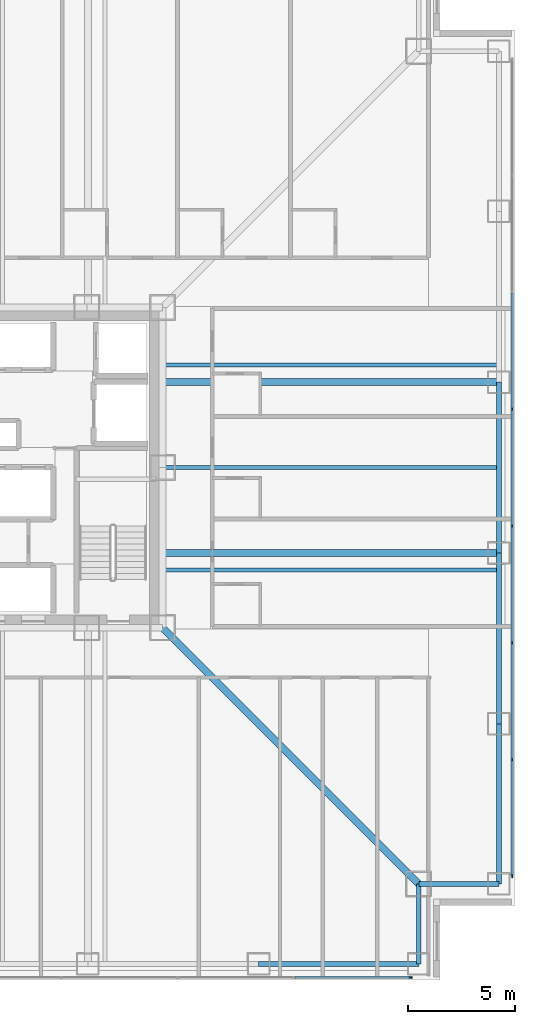
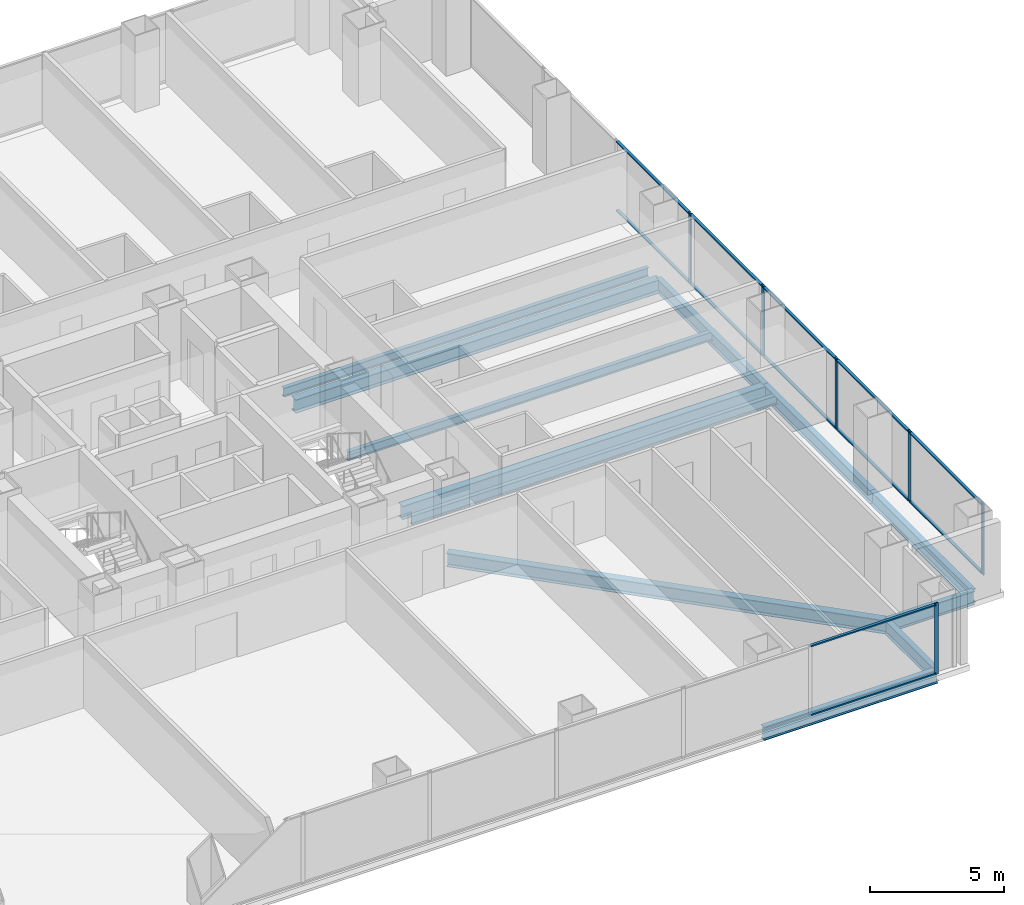
# One storey, part 6 of 16: 18 members, 12 beams, 2 elements without a shape of their own.
"""IFC4 building model written with IfcOpenShell, lengths in metres."""

import ifcopenshell
import ifcopenshell.guid

model = None  # the IFC model being written
_history = None  # IfcOwnerHistory: only IFC2X3 demands one
_inside = {}  # id of a spatial element -> (the spatial element, [elements in it])
_under = {}  # id of a project, library or spatial element -> (it, [spatial elements below it])
_declared = {}  # id of a project -> (the project, [libraries it declares])
_typed = {}  # id of a type object -> (the type object, [elements of that type])
_made_of = {}  # id of a material, layer set ... -> (it, [elements and type objects made of it])


def new_model(schema):
    """Start an empty IFC model of exactly this schema.

    Asked for "IFC4X3", IfcOpenShell would pick the latest addendum, in which some entities
    have other attributes; the version numbers below select the first issue.
    IFC2X3 requires an IfcOwnerHistory on every rooted entity: one is made here for all.
    """
    global model, _history
    if schema == "IFC4X3":
        model = ifcopenshell.file(schema_version=(4, 3, 0, 0))
    else:
        model = ifcopenshell.file(schema=schema)
    _inside.clear()
    _under.clear()
    _declared.clear()
    _typed.clear()
    _made_of.clear()
    _history = None
    if model.schema == "IFC2X3":
        org = make("IfcOrganization", Name="unknown")
        user = make(
            "IfcPersonAndOrganization",
            ThePerson=make("IfcPerson", FamilyName="unknown"),
            TheOrganization=org,
        )
        app = make(
            "IfcApplication",
            ApplicationDeveloper=org,
            Version="unknown",
            ApplicationFullName="unknown",
            ApplicationIdentifier="unknown",
        )
        _history = make(
            "IfcOwnerHistory",
            OwningUser=user,
            OwningApplication=app,
            ChangeAction="ADDED",
            CreationDate=0,
        )
    return model


def make(cls, **values):
    """One entity of the class cls with the attributes given. An attribute that is None is left unset."""
    return model.create_entity(
        cls, **{name: value for name, value in values.items() if value is not None}
    )


def rooted(cls, **values):
    """An entity with a GlobalId (a new one), such as an element, a storey or a relation."""
    return make(cls, GlobalId=ifcopenshell.guid.new(), OwnerHistory=_history, **values)


def si_unit(unit_type, name, prefix=None):
    """IfcSIUnit, for example si_unit("LENGTHUNIT", "METRE", prefix="MILLI")."""
    return make("IfcSIUnit", UnitType=unit_type, Prefix=prefix, Name=name)


def assignment(units):
    """IfcUnitAssignment: the units of a project."""
    return None if units is None else make("IfcUnitAssignment", Units=units)


def point(xyz):
    """IfcCartesianPoint."""
    return None if xyz is None else make("IfcCartesianPoint", Coordinates=xyz)


def direction(xyz):
    """IfcDirection."""
    return None if xyz is None else make("IfcDirection", DirectionRatios=xyz)


def frame(location, z_axis=None, x_axis=None):
    """IfcAxis2Placement3D, a coordinate frame: its origin and axes. An axis left out is left unset."""
    return make(
        "IfcAxis2Placement3D",
        Location=point(location),
        Axis=direction(z_axis),
        RefDirection=direction(x_axis),
    )


def frame_2d(location, x_axis=None):
    """IfcAxis2Placement2D, a coordinate frame in the plane: its origin and x axis."""
    return make(
        "IfcAxis2Placement2D", Location=point(location), RefDirection=direction(x_axis)
    )


def origin():
    """The frame at (0, 0, 0) with its axes left unset."""
    return frame((0.0, 0.0, 0.0))


def origin_2d():
    """The frame at (0, 0) in the plane with its x axis left unset."""
    return frame_2d((0.0, 0.0))


def place(relative_to, where):
    """IfcLocalPlacement: puts the frame where relative to a parent placement (None: the world)."""
    return make(
        "IfcLocalPlacement", PlacementRelTo=relative_to, RelativePlacement=where
    )


def context(
    kind, dimensions, precision=None, world=None, true_north=None, identifier=None
):
    """IfcGeometricRepresentationContext, for example the 3D "Model" context."""
    return make(
        "IfcGeometricRepresentationContext",
        ContextIdentifier=identifier,
        ContextType=kind,
        CoordinateSpaceDimension=dimensions,
        Precision=precision,
        WorldCoordinateSystem=world,
        TrueNorth=true_north,
    )


def subcontext(parent, identifier, kind, view, scale=None):
    """IfcGeometricRepresentationSubContext, for example "Body" below "Model"."""
    return make(
        "IfcGeometricRepresentationSubContext",
        ContextIdentifier=identifier,
        ContextType=kind,
        ParentContext=parent,
        TargetScale=scale,
        TargetView=view,
    )


def project(units=None, contexts=None):
    """IfcProject with its units and contexts."""
    return rooted(
        "IfcProject",
        Name="project",
        RepresentationContexts=contexts,
        UnitsInContext=assignment(units),
    )


def spatial(cls, under=None, at=None, **own):
    """A site, building, storey or space (cls), placed at a placement, below another one or the project."""
    s = rooted(cls, ObjectPlacement=at, **own)
    if under is not None:
        _under.setdefault(under.id(), (under, []))[1].append(s)
    return s


def profile(cls, at=None, kind="AREA", **sizes):
    """A parametric profile (cls). Its sizes go by their IFC names, for example OverallWidth=200.0."""
    return make(cls, ProfileType=kind, Position=at, **sizes)


def rectangle(**sizes):
    """IfcRectangleProfileDef."""
    return profile("IfcRectangleProfileDef", **sizes)


def i_section(**sizes):
    """IfcIShapeProfileDef."""
    return profile("IfcIShapeProfileDef", **sizes)


def extrude(swept, where, along, depth):
    """IfcExtrudedAreaSolid: the profile swept, set in the frame where, extruded along a direction by depth."""
    return make(
        "IfcExtrudedAreaSolid",
        SweptArea=swept,
        Position=where,
        ExtrudedDirection=direction(along),
        Depth=depth,
    )


def shape(context_of_items, identifier, shape_type, items):
    """IfcShapeRepresentation: the items that make up one representation, for example the "Body"."""
    return make(
        "IfcShapeRepresentation",
        ContextOfItems=context_of_items,
        RepresentationIdentifier=identifier,
        RepresentationType=shape_type,
        Items=items,
    )


def material(Name=None, Category=None):
    """IfcMaterial."""
    return make("IfcMaterial", Name=Name, Category=Category)


def layer(
    of_material, thickness, ventilated=None, Name=None, Category=None, Priority=None
):
    """IfcMaterialLayer: one layer of a wall or slab, of a material (None: an air gap)."""
    return make(
        "IfcMaterialLayer",
        Material=of_material,
        LayerThickness=thickness,
        IsVentilated=ventilated,
        Name=Name,
        Category=Category,
        Priority=Priority,
    )


def layer_set(layers, Name=None):
    """IfcMaterialLayerSet."""
    return make("IfcMaterialLayerSet", MaterialLayers=layers, LayerSetName=Name)


def material_profile(
    of_material, cross_section, Name=None, Category=None, Priority=None
):
    """IfcMaterialProfile: a cross section and its material."""
    return make(
        "IfcMaterialProfile",
        Name=Name,
        Material=of_material,
        Profile=cross_section,
        Priority=Priority,
        Category=Category,
    )


def profile_set(profiles, Name=None, composite=None):
    """IfcMaterialProfileSet."""
    return make(
        "IfcMaterialProfileSet",
        Name=Name,
        MaterialProfiles=profiles,
        CompositeProfile=composite,
    )


def made_of(thing, what):
    """Note that an element or type object is made of a material, layer set ...; save() writes the relation."""
    if what is not None:
        _made_of.setdefault(what.id(), (what, []))[1].append(thing)
    return thing


def type_object(cls, material=None, **own):
    """A type object (cls), such as IfcWallType, which elements share."""
    return made_of(rooted(cls, **own), material)


def element(
    cls,
    number,
    at=None,
    inside=None,
    cuts=None,
    type_object=None,
    material=None,
    context=None,
    identifier="Body",
    shape_type=None,
    held_by="IfcProductDefinitionShape",
    body=None,
    shapes=None,
    **own,
):
    """One element of the class cls, such as IfcWall. Its Tag is "e" and its number.

    at: its placement. inside: the storey or other place that contains it. cuts: it is an
    opening in that element (IfcRelVoidsElement). A single representation is given by context,
    identifier, shape_type and body (its items); several are given by shapes. held_by: the class
    of the entity that holds the representations. save() writes the other relations.
    """
    e = rooted(cls, Tag="e%d" % number, ObjectPlacement=at, **own)
    if body is not None:
        shapes = [shape(context, identifier, shape_type, body)]
    if shapes is not None:
        e.Representation = make(held_by, Representations=shapes)
    if inside is not None:
        _inside.setdefault(inside.id(), (inside, []))[1].append(e)
    if cuts is not None:
        rooted(
            "IfcRelVoidsElement", RelatingBuildingElement=cuts, RelatedOpeningElement=e
        )
    if type_object is not None:
        _typed.setdefault(type_object.id(), (type_object, []))[1].append(e)
    return made_of(e, material)


def aggregate(whole, parts):
    """IfcRelAggregates: a whole, such as a stair, and the parts it consists of."""
    return rooted("IfcRelAggregates", RelatingObject=whole, RelatedObjects=parts)


def save(model, path):
    """Write the relations noted so far, then the file.

    IfcRelAggregates (storeys below a building ...), IfcRelContainedInSpatialStructure (elements
    in a storey), IfcRelDefinesByType, IfcRelAssociatesMaterial and IfcRelDeclares: one each for
    every whole, place, type object, material and project.
    """
    for whole, parts in _under.values():
        aggregate(whole, parts)
    for where, things in _inside.values():
        rooted(
            "IfcRelContainedInSpatialStructure",
            RelatedElements=things,
            RelatingStructure=where,
        )
    for kind, things in _typed.values():
        rooted("IfcRelDefinesByType", RelatedObjects=things, RelatingType=kind)
    for what, things in _made_of.values():
        rooted("IfcRelAssociatesMaterial", RelatedObjects=things, RelatingMaterial=what)
    for by, libraries in _declared.values():
        rooted("IfcRelDeclares", RelatingContext=by, RelatedDefinitions=libraries)
    model.write(path)


model = new_model("IFC4")

# Units and contexts
model_context = context("Model", 3, precision=1e-05, world=origin(), true_north=direction((0.0, 1.0)))
body_context = subcontext(model_context, "Body", "Model", "MODEL_VIEW")
ifc_project = project(units=[si_unit("LENGTHUNIT", "METRE"), si_unit("AREAUNIT", "SQUARE_METRE"), si_unit("VOLUMEUNIT", "CUBIC_METRE"), si_unit("PLANEANGLEUNIT", "RADIAN"), si_unit("MASSUNIT", "GRAM", prefix="KILO")], contexts=[model_context])

# Site, building, storey
site_placement = place(None, origin())
site = spatial("IfcSite", under=ifc_project, at=site_placement, CompositionType="ELEMENT")
building_placement = place(site_placement, origin())
building = spatial("IfcBuilding", under=site, at=building_placement, Name="Trevonay Congress Spire", CompositionType="ELEMENT")
storey_placement = place(building_placement, frame((0.0, 0.0, 72.5)))
storey = spatial("IfcBuildingStorey", under=building, at=storey_placement, Name="L18", CompositionType="ELEMENT", Elevation=72.5)

# Beams
ifc_material_1 = material(Name="Steel ASTM A572 Grade 50", Category="steel")
ifc_material_profile_1 = material_profile(ifc_material_1, i_section(OverallWidth=0.324951171875, OverallDepth=0.615966796875, WebThickness=0.013916015625, FlangeThickness=0.021484375, FilletRadius=0.01806640625, at=origin_2d()), Name="W610x174")
ifc_profile_set_1 = profile_set([ifc_material_profile_1], Name="Steel ASTM A572 Grade 50")
beam_type_1 = type_object("IfcBeamType", Name="BM-GIRD-W610X174", PredefinedType="BEAM", material=ifc_profile_set_1)
beam_1_placement = place(storey_placement, frame((7.5, -7.5, -0.55810546875), z_axis=(0.707106781187, -0.707106781187, 0.0), x_axis=(0.707106781187, 0.707106781187, 0.0)))
element("IfcBeam", 1, at=beam_1_placement, inside=storey, type_object=beam_type_1, Name="L18 structural beam BM-L18-CDSE", PredefinedType="BEAM", context=body_context, shape_type="SweptSolid", body=[
    extrude(i_section(OverallWidth=0.324951171875, OverallDepth=0.615966796875, WebThickness=0.013916015625, FlangeThickness=0.021484375, FilletRadius=0.01806640625, at=origin_2d()), origin(), (0.0, 0.0, 1.0), 16.970458984375),
])
for number, where, z_axis, x_axis, name in (
    (2, (7.5, -4.0, -0.55810546875), (1.0, 0.0, 0.0), (0.0, 1.0, 0.0), "L18 structural beam BM-L18-GE-M"),
    (3, (7.5, 4.0, -0.55810546875), (1.0, 0.0, 0.0), (0.0, 1.0, 0.0), "L18 structural beam BM-L18-GE-P"),
):
    element("IfcBeam", number, at=place(storey_placement, frame(where, z_axis=z_axis, x_axis=x_axis)), inside=storey, type_object=beam_type_1, Name=name, PredefinedType="BEAM", context=body_context, shape_type="SweptSolid", body=[
        extrude(i_section(OverallWidth=0.324951171875, OverallDepth=0.615966796875, WebThickness=0.013916015625, FlangeThickness=0.021484375, FilletRadius=0.01806640625, at=origin_2d()), origin(), (0.0, 0.0, 1.0), 15.75),
    ])
ifc_material_profile_2 = material_profile(ifc_material_1, i_section(OverallWidth=0.22998046875, OverallDepth=0.616943359375, WebThickness=0.01318359375, FlangeThickness=0.022216796875, FilletRadius=0.01611328125, at=origin_2d()), Name="W610x140")
ifc_profile_set_2 = profile_set([ifc_material_profile_2], Name="Steel ASTM A572 Grade 50")
beam_type_2 = type_object("IfcBeamType", Name="BM-RING-W610X140", PredefinedType="BEAM", material=ifc_profile_set_2)
beam_2_placement = place(storey_placement, frame((23.25, -19.5, -0.55859375), z_axis=(0.0, 1.0, 0.0), x_axis=(-1.0, 0.0, 0.0)))
element("IfcBeam", 4, at=beam_2_placement, inside=storey, type_object=beam_type_2, Name="L18 structural beam BM-L18-PE1", PredefinedType="BEAM", context=body_context, shape_type="SweptSolid", body=[
    extrude(i_section(OverallWidth=0.22998046875, OverallDepth=0.616943359375, WebThickness=0.01318359375, FlangeThickness=0.022216796875, FilletRadius=0.01611328125, at=origin_2d()), origin(), (0.0, 0.0, 1.0), 7.5),
])
for number, where, z_axis, x_axis, name in (
    (5, (23.25, -12.0, -0.55859375), (0.0, 1.0, 0.0), (-1.0, 0.0, 0.0), "L18 structural beam BM-L18-PE2"),
    (6, (23.25, -4.0, -0.55859375), (0.0, 1.0, 0.0), (-1.0, 0.0, 0.0), "L18 structural beam BM-L18-PE3"),
):
    element("IfcBeam", number, at=place(storey_placement, frame(where, z_axis=z_axis, x_axis=x_axis)), inside=storey, type_object=beam_type_2, Name=name, PredefinedType="BEAM", context=body_context, shape_type="SweptSolid", body=[
        extrude(i_section(OverallWidth=0.22998046875, OverallDepth=0.616943359375, WebThickness=0.01318359375, FlangeThickness=0.022216796875, FilletRadius=0.01611328125, at=origin_2d()), origin(), (0.0, 0.0, 1.0), 8.0),
    ])
beam_3_placement = place(storey_placement, frame((12.0, -23.25, -0.55859375), z_axis=(1.0, 0.0, 0.0), x_axis=(0.0, 1.0, 0.0)))
element("IfcBeam", 7, at=beam_3_placement, inside=storey, type_object=beam_type_2, Name="L18 structural beam BM-L18-PS5", PredefinedType="BEAM", context=body_context, shape_type="SweptSolid", body=[
    extrude(i_section(OverallWidth=0.22998046875, OverallDepth=0.616943359375, WebThickness=0.01318359375, FlangeThickness=0.022216796875, FilletRadius=0.01611328125, at=origin_2d()), origin(), (0.0, 0.0, 1.0), 7.5),
])
for number, where, z_axis, x_axis, name in (
    (8, (19.5, -23.25, -0.55859375), (0.0, 1.0, 0.0), (-1.0, 0.0, 0.0), "L18 structural beam BM-L18-N1SE"),
    (9, (23.25, -19.5, -0.55859375), (-1.0, 0.0, 0.0), (0.0, -1.0, 0.0), "L18 structural beam BM-L18-N2SE"),
):
    element("IfcBeam", number, at=place(storey_placement, frame(where, z_axis=z_axis, x_axis=x_axis)), inside=storey, type_object=beam_type_2, Name=name, PredefinedType="BEAM", context=body_context, shape_type="SweptSolid", body=[
        extrude(i_section(OverallWidth=0.22998046875, OverallDepth=0.616943359375, WebThickness=0.01318359375, FlangeThickness=0.022216796875, FilletRadius=0.01611328125, at=origin_2d()), origin(), (0.0, 0.0, 1.0), 3.75),
    ])

# Curtain wall, member
ifc_material_2 = material(Name="Pale Anodised Aluminium EN AW-6063-T6", Category="aluminium")
ifc_layer = layer(ifc_material_2, 0.179931640625, Name="Pale Anodised Aluminium EN AW-6063-T6")
ifc_layer_set = layer_set([ifc_layer], Name="Pale Anodised Aluminium EN AW-6063-T6")
curtain_wall_type = type_object("IfcCurtainWallType", Name="CW-SYS02-HOTEL-PALE-METAL", PredefinedType="NOTDEFINED", material=ifc_layer_set)
curtain_wall_1_placement = place(storey_placement, origin())
curtain_wall_1 = element("IfcCurtainWall", 10, at=curtain_wall_1_placement, inside=storey, type_object=curtain_wall_type, Name="L18 S unitised curtain wall", PredefinedType="NOTDEFINED")
ifc_material_profile_3 = material_profile(ifc_material_2, rectangle(XDim=0.06005859375, YDim=0.159912109375, at=origin_2d()), Name="CW-MULLION-160-ALUMINIUM")
ifc_profile_set_3 = profile_set([ifc_material_profile_3], Name="Pale Anodised Aluminium EN AW-6063-T6")
member_type_1 = type_object("IfcMemberType", Name="CW-MULLION-160-ALUMINIUM", PredefinedType="MULLION", material=ifc_profile_set_3)
member_1_placement = place(storey_placement, frame((19.1201171875, -23.8798828125, 0.0), z_axis=(0.0, 0.0, 1.0), x_axis=(0.0, 1.0, 0.0)))
member_1 = element("IfcMember", 11, at=member_1_placement, type_object=member_type_1, Name="CW02 mullion 8", PredefinedType="MULLION", context=body_context, shape_type="SweptSolid", body=[
    extrude(rectangle(XDim=0.06005859375, YDim=0.159912109375, at=origin_2d()), origin(), (0.0, 0.0, 1.0), 3.25),
])

# Curtain wall, members
curtain_wall_2_placement = place(storey_placement, origin())
curtain_wall_2 = element("IfcCurtainWall", 12, at=curtain_wall_2_placement, inside=storey, type_object=curtain_wall_type, Name="L18 E unitised curtain wall", PredefinedType="NOTDEFINED")
member_2_placement = place(storey_placement, frame((23.8798828125, -19.1201171875, 0.0), z_axis=(0.0, 0.0, 1.0), x_axis=(-1.0, 0.0, 0.0)))
member_2 = element("IfcMember", 13, at=member_2_placement, type_object=member_type_1, Name="CW02 mullion 1", PredefinedType="MULLION", context=body_context, shape_type="SweptSolid", body=[
    extrude(rectangle(XDim=0.06005859375, YDim=0.159912109375, at=origin_2d()), origin(), (0.0, 0.0, 1.0), 3.25),
])
member_3_placement = place(storey_placement, frame((23.8798828125, -13.678466796875, 0.0), z_axis=(0.0, 0.0, 1.0), x_axis=(-1.0, 0.0, 0.0)))
member_3 = element("IfcMember", 14, at=member_3_placement, type_object=member_type_1, Name="CW02 mullion 2", PredefinedType="MULLION", context=body_context, shape_type="SweptSolid", body=[
    extrude(rectangle(XDim=0.06005859375, YDim=0.159912109375, at=origin_2d()), origin(), (0.0, 0.0, 1.0), 3.25),
])
member_4_placement = place(storey_placement, frame((23.8798828125, -8.20703125, 0.0), z_axis=(0.0, 0.0, 1.0), x_axis=(-1.0, 0.0, 0.0)))
member_4 = element("IfcMember", 15, at=member_4_placement, type_object=member_type_1, Name="CW02 mullion 3", PredefinedType="MULLION", context=body_context, shape_type="SweptSolid", body=[
    extrude(rectangle(XDim=0.06005859375, YDim=0.159912109375, at=origin_2d()), origin(), (0.0, 0.0, 1.0), 3.25),
])
member_5_placement = place(storey_placement, frame((23.8798828125, -2.735595703125, 0.0), z_axis=(0.0, 0.0, 1.0), x_axis=(-1.0, 0.0, 0.0)))
member_5 = element("IfcMember", 16, at=member_5_placement, type_object=member_type_1, Name="CW02 mullion 4", PredefinedType="MULLION", context=body_context, shape_type="SweptSolid", body=[
    extrude(rectangle(XDim=0.06005859375, YDim=0.159912109375, at=origin_2d()), origin(), (0.0, 0.0, 1.0), 3.25),
])
member_6_placement = place(storey_placement, frame((23.8798828125, 2.735595703125, 0.0), z_axis=(0.0, 0.0, 1.0), x_axis=(-1.0, 0.0, 0.0)))
member_6 = element("IfcMember", 17, at=member_6_placement, type_object=member_type_1, Name="CW02 mullion 5", PredefinedType="MULLION", context=body_context, shape_type="SweptSolid", body=[
    extrude(rectangle(XDim=0.06005859375, YDim=0.159912109375, at=origin_2d()), origin(), (0.0, 0.0, 1.0), 3.25),
])

# Member
ifc_material_profile_4 = material_profile(ifc_material_2, rectangle(XDim=0.1201171875, YDim=0.06005859375, at=origin_2d()), Name="CW-TRANSOM-120-ALUMINIUM")
ifc_profile_set_4 = profile_set([ifc_material_profile_4], Name="Pale Anodised Aluminium EN AW-6063-T6")
member_type_2 = type_object("IfcMemberType", Name="CW-TRANSOM-120-ALUMINIUM", PredefinedType="USERDEFINED", material=ifc_profile_set_4)
member_7_placement = place(storey_placement, frame((13.70849609375, -23.8798828125, 0.06005859375), z_axis=(1.0, 0.0, 0.0), x_axis=(0.0, 1.0, 0.0)))
member_7 = element("IfcMember", 18, at=member_7_placement, type_object=member_type_2, Name="CW02 transom 7.1", ObjectType="TRANSOM", PredefinedType="USERDEFINED", context=body_context, shape_type="SweptSolid", body=[
    extrude(rectangle(XDim=0.1201171875, YDim=0.06005859375, at=origin_2d()), origin(), (0.0, 0.0, 1.0), 5.381591796875),
])

member_8_placement = place(storey_placement, frame((13.70849609375, -23.8798828125, 3.18994140625), z_axis=(1.0, 0.0, 0.0), x_axis=(0.0, 1.0, 0.0)))
member_8 = element("IfcMember", 19, at=member_8_placement, type_object=member_type_2, Name="CW02 transom 7.2", ObjectType="TRANSOM", PredefinedType="USERDEFINED", context=body_context, shape_type="SweptSolid", body=[
    extrude(rectangle(XDim=0.1201171875, YDim=0.06005859375, at=origin_2d()), origin(), (0.0, 0.0, 1.0), 5.381591796875),
])

aggregate(curtain_wall_1, [member_1, member_7, member_8])

member_9_placement = place(storey_placement, frame((23.8798828125, -19.090087890625, 0.06005859375), z_axis=(0.0, 1.0, 0.0), x_axis=(-1.0, 0.0, 0.0)))
member_9 = element("IfcMember", 20, at=member_9_placement, type_object=member_type_2, Name="CW02 transom 1.1", ObjectType="TRANSOM", PredefinedType="USERDEFINED", context=body_context, shape_type="SweptSolid", body=[
    extrude(rectangle(XDim=0.1201171875, YDim=0.06005859375, at=origin_2d()), origin(), (0.0, 0.0, 1.0), 5.381591796875),
])

member_10_placement = place(storey_placement, frame((23.8798828125, -19.090087890625, 3.18994140625), z_axis=(0.0, 1.0, 0.0), x_axis=(-1.0, 0.0, 0.0)))
member_10 = element("IfcMember", 21, at=member_10_placement, type_object=member_type_2, Name="CW02 transom 1.2", ObjectType="TRANSOM", PredefinedType="USERDEFINED", context=body_context, shape_type="SweptSolid", body=[
    extrude(rectangle(XDim=0.1201171875, YDim=0.06005859375, at=origin_2d()), origin(), (0.0, 0.0, 1.0), 5.381591796875),
])

member_11_placement = place(storey_placement, frame((23.8798828125, -13.648681640625, 0.06005859375), z_axis=(0.0, 1.0, 0.0), x_axis=(-1.0, 0.0, 0.0)))
member_11 = element("IfcMember", 22, at=member_11_placement, type_object=member_type_2, Name="CW02 transom 2.1", ObjectType="TRANSOM", PredefinedType="USERDEFINED", context=body_context, shape_type="SweptSolid", body=[
    extrude(rectangle(XDim=0.1201171875, YDim=0.06005859375, at=origin_2d()), origin(), (0.0, 0.0, 1.0), 5.41162109375),
])

member_12_placement = place(storey_placement, frame((23.8798828125, -13.648681640625, 3.18994140625), z_axis=(0.0, 1.0, 0.0), x_axis=(-1.0, 0.0, 0.0)))
member_12 = element("IfcMember", 23, at=member_12_placement, type_object=member_type_2, Name="CW02 transom 2.2", ObjectType="TRANSOM", PredefinedType="USERDEFINED", context=body_context, shape_type="SweptSolid", body=[
    extrude(rectangle(XDim=0.1201171875, YDim=0.06005859375, at=origin_2d()), origin(), (0.0, 0.0, 1.0), 5.41162109375),
])

member_13_placement = place(storey_placement, frame((23.8798828125, -8.17724609375, 0.06005859375), z_axis=(0.0, 1.0, 0.0), x_axis=(-1.0, 0.0, 0.0)))
member_13 = element("IfcMember", 24, at=member_13_placement, type_object=member_type_2, Name="CW02 transom 3.1", ObjectType="TRANSOM", PredefinedType="USERDEFINED", context=body_context, shape_type="SweptSolid", body=[
    extrude(rectangle(XDim=0.1201171875, YDim=0.06005859375, at=origin_2d()), origin(), (0.0, 0.0, 1.0), 5.41162109375),
])

member_14_placement = place(storey_placement, frame((23.8798828125, -8.17724609375, 3.18994140625), z_axis=(0.0, 1.0, 0.0), x_axis=(-1.0, 0.0, 0.0)))
member_14 = element("IfcMember", 25, at=member_14_placement, type_object=member_type_2, Name="CW02 transom 3.2", ObjectType="TRANSOM", PredefinedType="USERDEFINED", context=body_context, shape_type="SweptSolid", body=[
    extrude(rectangle(XDim=0.1201171875, YDim=0.06005859375, at=origin_2d()), origin(), (0.0, 0.0, 1.0), 5.41162109375),
])

member_15_placement = place(storey_placement, frame((23.8798828125, -2.705810546875, 0.06005859375), z_axis=(0.0, 1.0, 0.0), x_axis=(-1.0, 0.0, 0.0)))
member_15 = element("IfcMember", 26, at=member_15_placement, type_object=member_type_2, Name="CW02 transom 4.1", ObjectType="TRANSOM", PredefinedType="USERDEFINED", context=body_context, shape_type="SweptSolid", body=[
    extrude(rectangle(XDim=0.1201171875, YDim=0.06005859375, at=origin_2d()), origin(), (0.0, 0.0, 1.0), 5.41162109375),
])

member_16_placement = place(storey_placement, frame((23.8798828125, -2.705810546875, 3.18994140625), z_axis=(0.0, 1.0, 0.0), x_axis=(-1.0, 0.0, 0.0)))
member_16 = element("IfcMember", 27, at=member_16_placement, type_object=member_type_2, Name="CW02 transom 4.2", ObjectType="TRANSOM", PredefinedType="USERDEFINED", context=body_context, shape_type="SweptSolid", body=[
    extrude(rectangle(XDim=0.1201171875, YDim=0.06005859375, at=origin_2d()), origin(), (0.0, 0.0, 1.0), 5.41162109375),
])

member_17_placement = place(storey_placement, frame((23.8798828125, 2.765625, 0.06005859375), z_axis=(0.0, 1.0, 0.0), x_axis=(-1.0, 0.0, 0.0)))
member_17 = element("IfcMember", 28, at=member_17_placement, type_object=member_type_2, Name="CW02 transom 5.1", ObjectType="TRANSOM", PredefinedType="USERDEFINED", context=body_context, shape_type="SweptSolid", body=[
    extrude(rectangle(XDim=0.1201171875, YDim=0.06005859375, at=origin_2d()), origin(), (0.0, 0.0, 1.0), 5.41162109375),
])

member_18_placement = place(storey_placement, frame((23.8798828125, 2.765625, 3.18994140625), z_axis=(0.0, 1.0, 0.0), x_axis=(-1.0, 0.0, 0.0)))
member_18 = element("IfcMember", 29, at=member_18_placement, type_object=member_type_2, Name="CW02 transom 5.2", ObjectType="TRANSOM", PredefinedType="USERDEFINED", context=body_context, shape_type="SweptSolid", body=[
    extrude(rectangle(XDim=0.1201171875, YDim=0.06005859375, at=origin_2d()), origin(), (0.0, 0.0, 1.0), 5.41162109375),
])

aggregate(curtain_wall_2, [member_2, member_3, member_4, member_5, member_6, member_9, member_10, member_11, member_12, member_13, member_14, member_15, member_16, member_17, member_18])

# Beams
ifc_material_profile_5 = material_profile(ifc_material_1, i_section(OverallWidth=0.177978515625, OverallDepth=0.406982421875, WebThickness=0.0078125, FlangeThickness=0.0126953125, FilletRadius=0.012939453125, at=origin_2d()), Name="W410x60")
ifc_profile_set_5 = profile_set([ifc_material_profile_5], Name="Steel ASTM A572 Grade 50")
beam_type_3 = type_object("IfcBeamType", Name="JS-COMP-W410X60", PredefinedType="JOIST", material=ifc_profile_set_5)
for number, where, z_axis, x_axis, name in (
    (30, (7.5, -4.800048828125, -0.45361328125), (1.0, 0.0, 0.0), (0.0, 1.0, 0.0), "L18 structural beam JS-L18-EW-E1"),
    (31, (7.5, 0.0, -0.45361328125), (1.0, 0.0, 0.0), (0.0, 1.0, 0.0), "L18 structural beam JS-L18-EW-E2"),
    (32, (7.5, 4.800048828125, -0.45361328125), (1.0, 0.0, 0.0), (0.0, 1.0, 0.0), "L18 structural beam JS-L18-EW-E3"),
):
    element("IfcBeam", number, at=place(storey_placement, frame(where, z_axis=z_axis, x_axis=x_axis)), inside=storey, type_object=beam_type_3, Name=name, PredefinedType="JOIST", context=body_context, shape_type="SweptSolid", body=[
        extrude(i_section(OverallWidth=0.177978515625, OverallDepth=0.406982421875, WebThickness=0.0078125, FlangeThickness=0.0126953125, FilletRadius=0.012939453125, at=origin_2d()), origin(), (0.0, 0.0, 1.0), 15.75),
    ])

save(model, "model.ifc")
